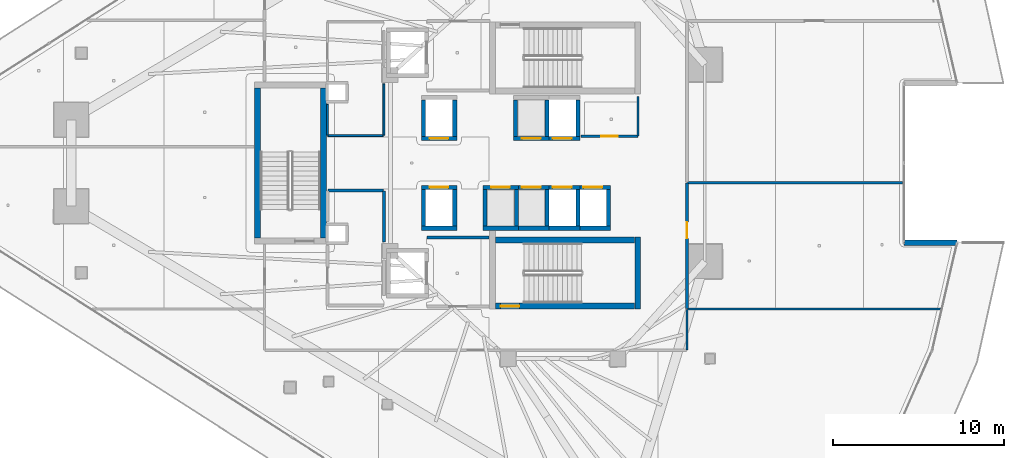
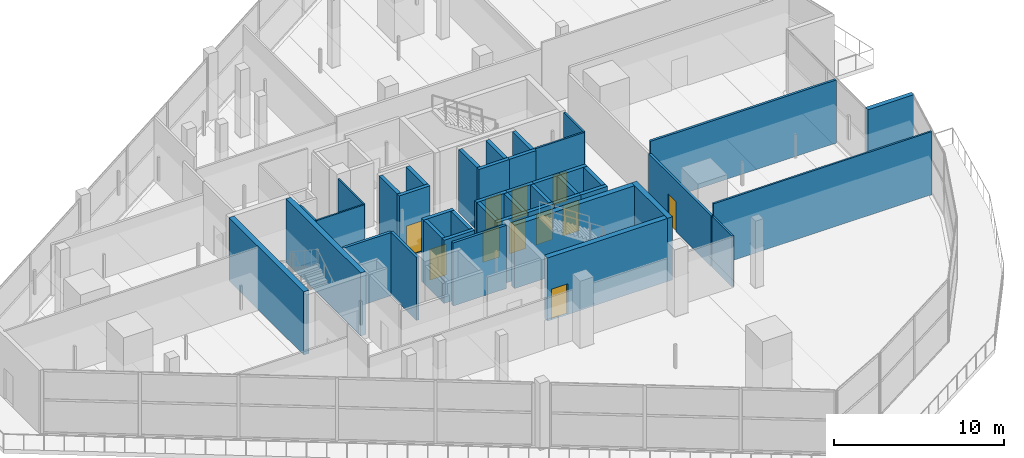
# One storey, part 24 of 36: 43 walls, 11 doors, 11 openings.
"""IFC4 building model written with IfcOpenShell, lengths in metres."""

from ifc_helpers import new_model, si_unit, direction, frame, frame_2d, origin, place, context, subcontext, project, spatial, rectangle, extrude, material, layer, layer_set, type_object, element, fill, save


model = new_model("IFC4")

# Units and contexts
model_context = context("Model", 3, precision=1e-05, world=origin(), true_north=direction((0.0, 1.0)))
body_context = subcontext(model_context, "Body", "Model", "MODEL_VIEW")
ifc_project = project(units=[si_unit("LENGTHUNIT", "METRE"), si_unit("AREAUNIT", "SQUARE_METRE"), si_unit("VOLUMEUNIT", "CUBIC_METRE"), si_unit("PLANEANGLEUNIT", "RADIAN"), si_unit("MASSUNIT", "GRAM", prefix="KILO")], contexts=[model_context])

# Site, building, storey
site_placement = place(None, origin())
site = spatial("IfcSite", under=ifc_project, at=site_placement, CompositionType="ELEMENT")
building_placement = place(site_placement, origin())
building = spatial("IfcBuilding", under=site, at=building_placement, Name="Qorvath Tower", CompositionType="ELEMENT")
storey_placement = place(building_placement, frame((0.0, 0.0, 180.0)))
storey = spatial("IfcBuildingStorey", under=building, at=storey_placement, Name="L41", CompositionType="ELEMENT", Elevation=180.0)

# Walls
ifc_material_1 = material(Name="Gypsum shaftliner on steel studs", Category="steel")
ifc_layer_1 = layer(ifc_material_1, 0.179931640625)
ifc_layer_set_1 = layer_set([ifc_layer_1], Name="FW-LOBBY")
wall_type_1 = type_object("IfcWallType", Name="FW-LOBBY", PredefinedType="PARTITIONING", material=ifc_layer_set_1)
wall_1_placement = place(storey_placement, frame((-24.73291015625, -4.35009765625, 0.0), z_axis=(0.0, 0.0, 1.0), x_axis=(-1.0, 0.0, 0.0)))
element("IfcWall", 1, at=wall_1_placement, inside=storey, type_object=wall_type_1, Name="Interior Partition IW-T1-L41-004", PredefinedType="PARTITIONING", context=body_context, shape_type="SweptSolid", body=[
    extrude(rectangle(XDim=3.6220703125, YDim=0.179931640625, at=frame_2d((1.81103515625, 0.0))), origin(), (0.0, 0.0, 1.0), 4.530029296875),
])
wall_2_placement = place(storey_placement, frame((-30.8798828125, -4.635009765625, 0.0), z_axis=(0.0, 0.0, 1.0), x_axis=(0.0, 1.0, 0.0)))
element("IfcWall", 2, at=wall_2_placement, inside=storey, type_object=wall_type_1, Name="Interior Partition IW-T1-L41-015", PredefinedType="PARTITIONING", context=body_context, shape_type="SweptSolid", body=[
    extrude(rectangle(XDim=3.010009765625, YDim=0.179931640625, at=frame_2d((1.5048828125, 0.0))), origin(), (0.0, 0.0, 1.0), 4.530029296875),
])
wall_3_placement = place(storey_placement, frame((-30.90478515625, -1.60009765625, 0.0), z_axis=(0.0, 0.0, 1.0), x_axis=(-1.0, 0.0, 0.0)))
element("IfcWall", 3, at=wall_3_placement, inside=storey, type_object=wall_type_1, Name="Interior Partition IW-T1-L41-016", PredefinedType="PARTITIONING", context=body_context, shape_type="SweptSolid", body=[
    extrude(rectangle(XDim=3.25, YDim=0.179931640625, at=frame_2d((1.625, 0.0))), origin(), (0.0, 0.0, 1.0), 4.530029296875),
])
ifc_material_2 = material(Name="Double acoustic gypsum board on steel studs", Category="steel")
ifc_layer_2 = layer(ifc_material_2, 0.159912109375)
ifc_layer_set_2 = layer_set([ifc_layer_2], Name="IW-ACOUSTIC-160")
wall_type_2 = type_object("IfcWallType", Name="IW-ACOUSTIC-160", PredefinedType="PARTITIONING", material=ifc_layer_set_2)
wall_4_placement = place(storey_placement, frame((-0.525634765625, -1.1533203125, 0.0), z_axis=(0.0, 0.0, 1.0), x_axis=(-1.0, 0.0, 0.0)))
element("IfcWall", 4, at=wall_4_placement, inside=storey, type_object=wall_type_2, Name="Interior Partition IW-T1-L41-032", PredefinedType="PARTITIONING", context=body_context, shape_type="SweptSolid", body=[
    extrude(rectangle(XDim=12.591552734375, YDim=0.159912109375, at=frame_2d((6.2958984375, 0.0))), origin(), (0.0, 0.0, 1.0), 4.530029296875),
])

# Wall, opening, door
wall_5_placement = place(storey_placement, frame((-13.14208984375, -1.17822265625, 0.0), z_axis=(0.0, 0.0, 1.0), x_axis=(0.0, -1.0, 0.0)))
wall_5 = element("IfcWall", 5, at=wall_5_placement, inside=storey, type_object=wall_type_2, Name="Interior Partition IW-T1-L41-033", PredefinedType="PARTITIONING", context=body_context, shape_type="SweptSolid", body=[
    extrude(rectangle(XDim=7.3388671875, YDim=0.159912109375, at=frame_2d((3.66943359375, 0.0))), origin(), (0.0, 0.0, 1.0), 3.64990234375),
])
opening_1_placement = place(wall_5_placement, frame((2.28173828125, 0.0, 0.0)))
opening_1 = element("IfcOpeningElement", 6, at=opening_1_placement, cuts=wall_5, Name="Opening D-T1-L41-08", PredefinedType="OPENING", context=body_context, shape_type="SweptSolid", body=[
    extrude(rectangle(XDim=0.949951171875, YDim=2.14990234375, at=frame_2d((0.47509765625, 1.074951171875))), frame((0.0, 0.08984375, 0.0), z_axis=(0.0, -1.0, 0.0), x_axis=(1.0, 0.0, 0.0)), (0.0, 0.0, 1.0), 0.179931640625),
])
ifc_material_3 = material(Name="Solid-core American white oak veneer", Category="wood")
door_type_1 = type_object("IfcDoorType", Name="D-01", OperationType="NOTDEFINED", PredefinedType="DOOR", material=ifc_material_3)
door_1_placement = place(opening_1_placement, origin())
door_1 = element("IfcDoor", 7, at=door_1_placement, inside=storey, type_object=door_type_1, Name="L41-06 Sky Breakout Reading Alcove Door D-T1-L41-08", OperationType="SINGLE_SWING_LEFT", OverallHeight=2.14990234375, OverallWidth=0.949951171875, PredefinedType="DOOR", context=body_context, shape_type="SweptSolid", body=[
    extrude(rectangle(XDim=0.949951171875, YDim=2.14990234375, at=frame_2d((0.47509765625, 1.074951171875))), frame((0.0, 0.02490234375, 0.0), z_axis=(0.0, -1.0, 0.0), x_axis=(1.0, 0.0, 0.0)), (0.0, 0.0, 1.0), 0.050048828125),
])
fill(opening_1, door_1)

ifc_material_4 = material(Name="Gypsum board on metal studs with mineral wool", Category="gypsum")
ifc_layer_3 = layer(ifc_material_4, 0.125)
ifc_layer_set_3 = layer_set([ifc_layer_3], Name="IW-PART-125")
wall_type_3 = type_object("IfcWallType", Name="IW-PART-125", PredefinedType="PARTITIONING", material=ifc_layer_set_3)
wall_6_placement = place(storey_placement, frame((-19.333740234375, 1.56005859375, 0.0), z_axis=(0.0, 0.0, 1.0), x_axis=(1.0, 0.0, 0.0)))
wall_6 = element("IfcWall", 8, at=wall_6_placement, inside=storey, type_object=wall_type_3, Name="Interior Partition IW-T1-L41-011", PredefinedType="PARTITIONING", context=body_context, shape_type="SweptSolid", body=[
    extrude(rectangle(XDim=3.308837890625, YDim=0.125, at=frame_2d((1.654296875, 0.0))), origin(), (0.0, 0.0, 1.0), 4.530029296875),
])
opening_2_placement = place(wall_6_placement, frame((1.179443359375, 0.0, 0.0)))
opening_2 = element("IfcOpeningElement", 9, at=opening_2_placement, cuts=wall_6, Name="Opening D-T1-L41-02", PredefinedType="OPENING", context=body_context, shape_type="SweptSolid", body=[
    extrude(rectangle(XDim=0.949951171875, YDim=2.14990234375, at=frame_2d((0.47509765625, 1.074951171875))), frame((0.0, 0.072509765625, 0.0), z_axis=(0.0, -1.0, 0.0), x_axis=(1.0, 0.0, 0.0)), (0.0, 0.0, 1.0), 0.14501953125),
])
door_2_placement = place(opening_2_placement, origin())
door_2 = element("IfcDoor", 10, at=door_2_placement, inside=storey, type_object=door_type_1, Name="L41-RCN North Staff Refreshment Pantry Door D-T1-L41-02", OperationType="SINGLE_SWING_LEFT", OverallHeight=2.14990234375, OverallWidth=0.949951171875, PredefinedType="DOOR", context=body_context, shape_type="SweptSolid", body=[
    extrude(rectangle(XDim=0.949951171875, YDim=2.14990234375, at=frame_2d((0.47509765625, 1.074951171875))), frame((0.0, 0.02490234375, 0.0), z_axis=(0.0, -1.0, 0.0), x_axis=(1.0, 0.0, 0.0)), (0.0, 0.0, 1.0), 0.050048828125),
])
fill(opening_2, door_2)

# Walls
wall_7_placement = place(storey_placement, frame((-16.0, 1.585205078125, 0.0), z_axis=(0.0, 0.0, 1.0), x_axis=(0.0, 1.0, 0.0)))
element("IfcWall", 11, at=wall_7_placement, inside=storey, type_object=wall_type_3, Name="Interior Partition IW-T1-L41-012", PredefinedType="PARTITIONING", context=body_context, shape_type="SweptSolid", body=[
    extrude(rectangle(XDim=2.30224609375, YDim=0.125, at=frame_2d((1.151123046875, 0.0))), origin(), (0.0, 0.0, 1.0), 4.530029296875),
])
wall_8_placement = place(storey_placement, frame((1.683837890625, -8.550048828125, 0.0), z_axis=(0.0, 0.0, 1.0), x_axis=(-1.0, 0.0, 0.0)))
element("IfcWall", 12, at=wall_8_placement, inside=storey, type_object=wall_type_3, Name="Interior Partition IW-T1-L41-027", PredefinedType="PARTITIONING", context=body_context, shape_type="SweptSolid", body=[
    extrude(rectangle(XDim=14.801025390625, YDim=0.125, at=frame_2d((7.400390625, 0.0))), origin(), (0.0, 0.0, 1.0), 4.530029296875),
])
wall_9_placement = place(storey_placement, frame((-13.14208984375, -10.93310546875, 0.0), z_axis=(0.0, 0.0, 1.0), x_axis=(0.0, 1.0, 0.0)))
element("IfcWall", 13, at=wall_9_placement, inside=storey, type_object=wall_type_3, Name="Interior Partition IW-T1-L41-028", PredefinedType="PARTITIONING", context=body_context, shape_type="SweptSolid", body=[
    extrude(rectangle(XDim=2.358154296875, YDim=0.125, at=frame_2d((1.17919921875, 0.0))), origin(), (0.0, 0.0, 1.0), 3.64990234375),
])
ifc_material_5 = material(Name="Moisture-resistant cement board on metal studs", Category="gypsum")
ifc_layer_4 = layer(ifc_material_5, 0.110107421875)
ifc_layer_set_4 = layer_set([ifc_layer_4], Name="IW-WC-110")
wall_type_4 = type_object("IfcWallType", Name="IW-WC-110", PredefinedType="PARTITIONING", material=ifc_layer_set_4)
wall_10_placement = place(storey_placement, frame((-34.15478515625, 1.60009765625, 0.0), z_axis=(0.0, 0.0, 1.0), x_axis=(1.0, 0.0, 0.0)))
element("IfcWall", 14, at=wall_10_placement, inside=storey, type_object=wall_type_4, Name="Interior Partition IW-T1-L41-005", PredefinedType="PARTITIONING", context=body_context, shape_type="SweptSolid", body=[
    extrude(rectangle(XDim=3.25, YDim=0.110107421875, at=frame_2d((1.625, 0.0))), origin(), (0.0, 0.0, 1.0), 4.530029296875),
])
wall_11_placement = place(storey_placement, frame((-30.8798828125, 1.625, 0.0), z_axis=(0.0, 0.0, 1.0), x_axis=(0.0, 1.0, 0.0)))
element("IfcWall", 15, at=wall_11_placement, inside=storey, type_object=wall_type_4, Name="Interior Partition IW-T1-L41-006", PredefinedType="PARTITIONING", context=body_context, shape_type="SweptSolid", body=[
    extrude(rectangle(XDim=3.010009765625, YDim=0.110107421875, at=frame_2d((1.5048828125, 0.0))), origin(), (0.0, 0.0, 1.0), 4.530029296875),
])
wall_12_placement = place(storey_placement, frame((-34.179931640625, 3.429931640625, 0.0), z_axis=(0.0, 0.0, 1.0), x_axis=(0.0, -1.0, 0.0)))
element("IfcWall", 16, at=wall_12_placement, inside=storey, type_object=wall_type_4, Name="Interior Partition IW-T1-L41-010", PredefinedType="PARTITIONING", context=body_context, shape_type="SweptSolid", body=[
    extrude(rectangle(XDim=1.804931640625, YDim=0.110107421875, at=frame_2d((0.90234375, 0.0))), origin(), (0.0, 0.0, 1.0), 4.530029296875),
])

# Wall, opening, door
ifc_material_6 = material(Name="Concrete C60/75", Category="concrete")
ifc_layer_5 = layer(ifc_material_6, 0.260009765625)
ifc_layer_set_5 = layer_set([ifc_layer_5], Name="SW-SHAFT")
wall_type_5 = type_object("IfcWallType", Name="SW-SHAFT", PredefinedType="SHEAR", material=ifc_layer_set_5)
wall_13_placement = place(storey_placement, frame((-26.610107421875, 1.429931640625, 0.0), z_axis=(0.0, 0.0, 1.0), x_axis=(-1.0, 0.0, 0.0)))
wall_13 = element("IfcWall", 17, at=wall_13_placement, inside=storey, type_object=wall_type_5, Name="Hoistway Wall PS-1 L41 S", PredefinedType="SHEAR", context=body_context, shape_type="SweptSolid", body=[
    extrude(rectangle(XDim=2.079833984375, YDim=0.239990234375, at=frame_2d((1.0400390625, 0.0))), origin(), (0.0, 0.0, 1.0), 4.530029296875),
])
opening_3_placement = place(wall_13_placement, frame((0.48974609375, 0.0, 0.0)))
opening_3 = element("IfcOpeningElement", 18, at=opening_3_placement, cuts=wall_13, Name="Opening LD-PS-1-L41", PredefinedType="OPENING", context=body_context, shape_type="SweptSolid", body=[
    extrude(rectangle(XDim=1.10009765625, YDim=2.199951171875, at=frame_2d((0.550048828125, 1.10009765625))), frame((0.0, 0.1298828125, 0.0), z_axis=(0.0, -1.0, 0.0), x_axis=(1.0, 0.0, 0.0)), (0.0, 0.0, 1.0), 0.260009765625),
])
ifc_material_7 = material(Name="Brushed stainless steel AISI 316", Category="steel")
door_type_2 = type_object("IfcDoorType", Name="LD-01", OperationType="NOTDEFINED", PredefinedType="DOOR", material=ifc_material_7)
door_3_placement = place(opening_3_placement, origin())
door_3 = element("IfcDoor", 19, at=door_3_placement, inside=storey, type_object=door_type_2, Name="Elevator Landing Sliding Door LD-PS-1-L41", OperationType="DOUBLE_DOOR_SLIDING", OverallHeight=2.199951171875, OverallWidth=1.10009765625, PredefinedType="DOOR", context=body_context, shape_type="SweptSolid", body=[
    extrude(rectangle(XDim=1.10009765625, YDim=2.199951171875, at=frame_2d((0.550048828125, 1.10009765625))), frame((0.0, 0.02490234375, 0.0), z_axis=(0.0, -1.0, 0.0), x_axis=(1.0, 0.0, 0.0)), (0.0, 0.0, 1.0), 0.050048828125),
])
fill(opening_3, door_3)

# Walls
for number, where, z_axis, x_axis, name in (
    (20, (-28.570068359375, 1.56201171875, 0.0), (0.0, 0.0, 1.0), (0.0, 1.0, 0.0), "Hoistway Wall PS-1 L41 W"),
    (21, (-26.72998046875, 3.68798828125, 0.0), (0.0, 0.0, 1.0), (0.0, -1.0, 0.0), "Hoistway Wall PS-1 L41 E"),
):
    element("IfcWall", number, at=place(storey_placement, frame(where, z_axis=z_axis, x_axis=x_axis)), inside=storey, type_object=wall_type_5, Name=name, PredefinedType="SHEAR", context=body_context, shape_type="SweptSolid", body=[
        extrude(rectangle(XDim=2.1259765625, YDim=0.239990234375, at=frame_2d((1.06298828125, 0.0))), origin(), (0.0, 0.0, 1.0), 4.530029296875),
    ])

# Wall, opening, door
wall_14_placement = place(storey_placement, frame((-21.2099609375, 1.429931640625, 0.0), z_axis=(0.0, 0.0, 1.0), x_axis=(-1.0, 0.0, 0.0)))
wall_14 = element("IfcWall", 22, at=wall_14_placement, inside=storey, type_object=wall_type_5, Name="Hoistway Wall PU-1 L41 S", PredefinedType="SHEAR", context=body_context, shape_type="SweptSolid", body=[
    extrude(rectangle(XDim=2.080078125, YDim=0.239990234375, at=frame_2d((1.0400390625, 0.0))), origin(), (0.0, 0.0, 1.0), 4.530029296875),
])
opening_4_placement = place(wall_14_placement, frame((0.489990234375, 0.0, 0.0)))
opening_4 = element("IfcOpeningElement", 23, at=opening_4_placement, cuts=wall_14, Name="Opening LD-PU-1-L41", PredefinedType="OPENING", context=body_context, shape_type="SweptSolid", body=[
    extrude(rectangle(XDim=1.10009765625, YDim=2.199951171875, at=frame_2d((0.550048828125, 1.10009765625))), frame((0.0, 0.1298828125, 0.0), z_axis=(0.0, -1.0, 0.0), x_axis=(1.0, 0.0, 0.0)), (0.0, 0.0, 1.0), 0.260009765625),
])
door_4_placement = place(opening_4_placement, origin())
door_4 = element("IfcDoor", 24, at=door_4_placement, inside=storey, type_object=door_type_2, Name="Elevator Landing Sliding Door LD-PU-1-L41", OperationType="DOUBLE_DOOR_SLIDING", OverallHeight=2.199951171875, OverallWidth=1.10009765625, PredefinedType="DOOR", context=body_context, shape_type="SweptSolid", body=[
    extrude(rectangle(XDim=1.10009765625, YDim=2.199951171875, at=frame_2d((0.550048828125, 1.10009765625))), frame((0.0, 0.02490234375, 0.0), z_axis=(0.0, -1.0, 0.0), x_axis=(1.0, 0.0, 0.0)), (0.0, 0.0, 1.0), 0.050048828125),
])
fill(opening_4, door_4)

# Walls
for number, where, z_axis, x_axis, name in (
    (25, (-23.169921875, 1.56201171875, 0.0), (0.0, 0.0, 1.0), (0.0, 1.0, 0.0), "Hoistway Wall PU-1 L41 W"),
    (26, (-21.330078125, 3.68798828125, 0.0), (0.0, 0.0, 1.0), (0.0, -1.0, 0.0), "Hoistway Wall PU-1 L41 E"),
):
    element("IfcWall", number, at=place(storey_placement, frame(where, z_axis=z_axis, x_axis=x_axis)), inside=storey, type_object=wall_type_5, Name=name, PredefinedType="SHEAR", context=body_context, shape_type="SweptSolid", body=[
        extrude(rectangle(XDim=2.1259765625, YDim=0.239990234375, at=frame_2d((1.06298828125, 0.0))), origin(), (0.0, 0.0, 1.0), 4.530029296875),
    ])

# Wall, opening, door
wall_15_placement = place(storey_placement, frame((-19.409912109375, 1.429931640625, 0.0), z_axis=(0.0, 0.0, 1.0), x_axis=(-1.0, 0.0, 0.0)))
wall_15 = element("IfcWall", 27, at=wall_15_placement, inside=storey, type_object=wall_type_5, Name="Hoistway Wall PM-1 L41 S", PredefinedType="SHEAR", context=body_context, shape_type="SweptSolid", body=[
    extrude(rectangle(XDim=1.800048828125, YDim=0.239990234375, at=frame_2d((0.89990234375, 0.0))), origin(), (0.0, 0.0, 1.0), 4.530029296875),
])
opening_5_placement = place(wall_15_placement, frame((0.489990234375, 0.0, 0.0)))
opening_5 = element("IfcOpeningElement", 28, at=opening_5_placement, cuts=wall_15, Name="Opening LD-PM-1-L41", PredefinedType="OPENING", context=body_context, shape_type="SweptSolid", body=[
    extrude(rectangle(XDim=1.10009765625, YDim=2.199951171875, at=frame_2d((0.550048828125, 1.10009765625))), frame((0.0, 0.1298828125, 0.0), z_axis=(0.0, -1.0, 0.0), x_axis=(1.0, 0.0, 0.0)), (0.0, 0.0, 1.0), 0.260009765625),
])
door_5_placement = place(opening_5_placement, origin())
door_5 = element("IfcDoor", 29, at=door_5_placement, inside=storey, type_object=door_type_2, Name="Elevator Landing Sliding Door LD-PM-1-L41", OperationType="DOUBLE_DOOR_SLIDING", OverallHeight=2.199951171875, OverallWidth=1.10009765625, PredefinedType="DOOR", context=body_context, shape_type="SweptSolid", body=[
    extrude(rectangle(XDim=1.10009765625, YDim=2.199951171875, at=frame_2d((0.550048828125, 1.10009765625))), frame((0.0, 0.02490234375, 0.0), z_axis=(0.0, -1.0, 0.0), x_axis=(1.0, 0.0, 0.0)), (0.0, 0.0, 1.0), 0.050048828125),
])
fill(opening_5, door_5)

# Walls
wall_16_placement = place(storey_placement, frame((-19.530029296875, 3.68798828125, 0.0), z_axis=(0.0, 0.0, 1.0), x_axis=(0.0, -1.0, 0.0)))
element("IfcWall", 30, at=wall_16_placement, inside=storey, type_object=wall_type_5, Name="Hoistway Wall PM-1 L41 E", PredefinedType="SHEAR", context=body_context, shape_type="SweptSolid", body=[
    extrude(rectangle(XDim=2.1259765625, YDim=0.239990234375, at=frame_2d((1.06298828125, 0.0))), origin(), (0.0, 0.0, 1.0), 4.530029296875),
])
wall_17_placement = place(storey_placement, frame((-26.610107421875, -3.820068359375, 0.0), z_axis=(0.0, 0.0, 1.0), x_axis=(-1.0, 0.0, 0.0)))
element("IfcWall", 31, at=wall_17_placement, inside=storey, type_object=wall_type_5, Name="Hoistway Wall PS-2 L41 S", PredefinedType="SHEAR", context=body_context, shape_type="SweptSolid", body=[
    extrude(rectangle(XDim=2.079833984375, YDim=0.239990234375, at=frame_2d((1.0400390625, 0.0))), origin(), (0.0, 0.0, 1.0), 4.530029296875),
])

# Wall, opening, door
wall_18_placement = place(storey_placement, frame((-28.68994140625, -1.429931640625, 0.0), z_axis=(0.0, 0.0, 1.0), x_axis=(1.0, 0.0, 0.0)))
wall_18 = element("IfcWall", 32, at=wall_18_placement, inside=storey, type_object=wall_type_5, Name="Hoistway Wall PS-2 L41 N", PredefinedType="SHEAR", context=body_context, shape_type="SweptSolid", body=[
    extrude(rectangle(XDim=2.079833984375, YDim=0.239990234375, at=frame_2d((1.0400390625, 0.0))), origin(), (0.0, 0.0, 1.0), 4.530029296875),
])
opening_6_placement = place(wall_18_placement, frame((0.489990234375, 0.0, 0.0)))
opening_6 = element("IfcOpeningElement", 33, at=opening_6_placement, cuts=wall_18, Name="Opening LD-PS-2-L41", PredefinedType="OPENING", context=body_context, shape_type="SweptSolid", body=[
    extrude(rectangle(XDim=1.10009765625, YDim=2.199951171875, at=frame_2d((0.550048828125, 1.10009765625))), frame((0.0, 0.1298828125, 0.0), z_axis=(0.0, -1.0, 0.0), x_axis=(1.0, 0.0, 0.0)), (0.0, 0.0, 1.0), 0.260009765625),
])
door_6_placement = place(opening_6_placement, origin())
door_6 = element("IfcDoor", 34, at=door_6_placement, inside=storey, type_object=door_type_2, Name="Elevator Landing Sliding Door LD-PS-2-L41", OperationType="DOUBLE_DOOR_SLIDING", OverallHeight=2.199951171875, OverallWidth=1.10009765625, PredefinedType="DOOR", context=body_context, shape_type="SweptSolid", body=[
    extrude(rectangle(XDim=1.10009765625, YDim=2.199951171875, at=frame_2d((0.550048828125, 1.10009765625))), frame((0.0, 0.02490234375, 0.0), z_axis=(0.0, -1.0, 0.0), x_axis=(1.0, 0.0, 0.0)), (0.0, 0.0, 1.0), 0.050048828125),
])
fill(opening_6, door_6)

# Walls
for number, where, z_axis, x_axis, name in (
    (35, (-28.570068359375, -3.68798828125, 0.0), (0.0, 0.0, 1.0), (0.0, 1.0, 0.0), "Hoistway Wall PS-2 L41 W"),
    (36, (-26.72998046875, -1.56201171875, 0.0), (0.0, 0.0, 1.0), (0.0, -1.0, 0.0), "Hoistway Wall PS-2 L41 E"),
):
    element("IfcWall", number, at=place(storey_placement, frame(where, z_axis=z_axis, x_axis=x_axis)), inside=storey, type_object=wall_type_5, Name=name, PredefinedType="SHEAR", context=body_context, shape_type="SweptSolid", body=[
        extrude(rectangle(XDim=2.1259765625, YDim=0.239990234375, at=frame_2d((1.06298828125, 0.0))), origin(), (0.0, 0.0, 1.0), 4.530029296875),
    ])
wall_19_placement = place(storey_placement, frame((-23.010009765625, -3.820068359375, 0.0), z_axis=(0.0, 0.0, 1.0), x_axis=(-1.0, 0.0, 0.0)))
element("IfcWall", 37, at=wall_19_placement, inside=storey, type_object=wall_type_5, Name="Hoistway Wall PU-2 L41 S", PredefinedType="SHEAR", context=body_context, shape_type="SweptSolid", body=[
    extrude(rectangle(XDim=2.080078125, YDim=0.239990234375, at=frame_2d((1.0400390625, 0.0))), origin(), (0.0, 0.0, 1.0), 4.530029296875),
])

# Wall, opening, door
wall_20_placement = place(storey_placement, frame((-25.090087890625, -1.429931640625, 0.0), z_axis=(0.0, 0.0, 1.0), x_axis=(1.0, 0.0, 0.0)))
wall_20 = element("IfcWall", 38, at=wall_20_placement, inside=storey, type_object=wall_type_5, Name="Hoistway Wall PU-2 L41 N", PredefinedType="SHEAR", context=body_context, shape_type="SweptSolid", body=[
    extrude(rectangle(XDim=2.080078125, YDim=0.239990234375, at=frame_2d((1.0400390625, 0.0))), origin(), (0.0, 0.0, 1.0), 4.530029296875),
])
opening_7_placement = place(wall_20_placement, frame((0.489990234375, 0.0, 0.0)))
opening_7 = element("IfcOpeningElement", 39, at=opening_7_placement, cuts=wall_20, Name="Opening LD-PU-2-L41", PredefinedType="OPENING", context=body_context, shape_type="SweptSolid", body=[
    extrude(rectangle(XDim=1.10009765625, YDim=2.199951171875, at=frame_2d((0.550048828125, 1.10009765625))), frame((0.0, 0.1298828125, 0.0), z_axis=(0.0, -1.0, 0.0), x_axis=(1.0, 0.0, 0.0)), (0.0, 0.0, 1.0), 0.260009765625),
])
door_7_placement = place(opening_7_placement, origin())
door_7 = element("IfcDoor", 40, at=door_7_placement, inside=storey, type_object=door_type_2, Name="Elevator Landing Sliding Door LD-PU-2-L41", OperationType="DOUBLE_DOOR_SLIDING", OverallHeight=2.199951171875, OverallWidth=1.10009765625, PredefinedType="DOOR", context=body_context, shape_type="SweptSolid", body=[
    extrude(rectangle(XDim=1.10009765625, YDim=2.199951171875, at=frame_2d((0.550048828125, 1.10009765625))), frame((0.0, 0.02490234375, 0.0), z_axis=(0.0, -1.0, 0.0), x_axis=(1.0, 0.0, 0.0)), (0.0, 0.0, 1.0), 0.050048828125),
])
fill(opening_7, door_7)

# Walls
for number, where, z_axis, x_axis, name in (
    (41, (-24.969970703125, -3.68798828125, 0.0), (0.0, 0.0, 1.0), (0.0, 1.0, 0.0), "Hoistway Wall PU-2 L41 W"),
    (42, (-23.1298828125, -1.56201171875, 0.0), (0.0, 0.0, 1.0), (0.0, -1.0, 0.0), "Hoistway Wall PU-2 L41 E"),
):
    element("IfcWall", number, at=place(storey_placement, frame(where, z_axis=z_axis, x_axis=x_axis)), inside=storey, type_object=wall_type_5, Name=name, PredefinedType="SHEAR", context=body_context, shape_type="SweptSolid", body=[
        extrude(rectangle(XDim=2.1259765625, YDim=0.239990234375, at=frame_2d((1.06298828125, 0.0))), origin(), (0.0, 0.0, 1.0), 4.530029296875),
    ])
wall_21_placement = place(storey_placement, frame((-21.2099609375, -3.820068359375, 0.0), z_axis=(0.0, 0.0, 1.0), x_axis=(-1.0, 0.0, 0.0)))
element("IfcWall", 43, at=wall_21_placement, inside=storey, type_object=wall_type_5, Name="Hoistway Wall PU-3 L41 S", PredefinedType="SHEAR", context=body_context, shape_type="SweptSolid", body=[
    extrude(rectangle(XDim=1.800048828125, YDim=0.239990234375, at=frame_2d((0.89990234375, 0.0))), origin(), (0.0, 0.0, 1.0), 4.530029296875),
])

# Wall, opening, door
wall_22_placement = place(storey_placement, frame((-23.010009765625, -1.429931640625, 0.0), z_axis=(0.0, 0.0, 1.0), x_axis=(1.0, 0.0, 0.0)))
wall_22 = element("IfcWall", 44, at=wall_22_placement, inside=storey, type_object=wall_type_5, Name="Hoistway Wall PU-3 L41 N", PredefinedType="SHEAR", context=body_context, shape_type="SweptSolid", body=[
    extrude(rectangle(XDim=1.800048828125, YDim=0.239990234375, at=frame_2d((0.89990234375, 0.0))), origin(), (0.0, 0.0, 1.0), 4.530029296875),
])
opening_8_placement = place(wall_22_placement, frame((0.2099609375, 0.0, 0.0)))
opening_8 = element("IfcOpeningElement", 45, at=opening_8_placement, cuts=wall_22, Name="Opening LD-PU-3-L41", PredefinedType="OPENING", context=body_context, shape_type="SweptSolid", body=[
    extrude(rectangle(XDim=1.10009765625, YDim=2.199951171875, at=frame_2d((0.550048828125, 1.10009765625))), frame((0.0, 0.1298828125, 0.0), z_axis=(0.0, -1.0, 0.0), x_axis=(1.0, 0.0, 0.0)), (0.0, 0.0, 1.0), 0.260009765625),
])
door_8_placement = place(opening_8_placement, origin())
door_8 = element("IfcDoor", 46, at=door_8_placement, inside=storey, type_object=door_type_2, Name="Elevator Landing Sliding Door LD-PU-3-L41", OperationType="DOUBLE_DOOR_SLIDING", OverallHeight=2.199951171875, OverallWidth=1.10009765625, PredefinedType="DOOR", context=body_context, shape_type="SweptSolid", body=[
    extrude(rectangle(XDim=1.10009765625, YDim=2.199951171875, at=frame_2d((0.550048828125, 1.10009765625))), frame((0.0, 0.02490234375, 0.0), z_axis=(0.0, -1.0, 0.0), x_axis=(1.0, 0.0, 0.0)), (0.0, 0.0, 1.0), 0.050048828125),
])
fill(opening_8, door_8)

# Walls
wall_23_placement = place(storey_placement, frame((-21.330078125, -1.56201171875, 0.0), z_axis=(0.0, 0.0, 1.0), x_axis=(0.0, -1.0, 0.0)))
element("IfcWall", 47, at=wall_23_placement, inside=storey, type_object=wall_type_5, Name="Hoistway Wall PU-3 L41 E", PredefinedType="SHEAR", context=body_context, shape_type="SweptSolid", body=[
    extrude(rectangle(XDim=2.1259765625, YDim=0.239990234375, at=frame_2d((1.06298828125, 0.0))), origin(), (0.0, 0.0, 1.0), 4.530029296875),
])
wall_24_placement = place(storey_placement, frame((-19.409912109375, -3.820068359375, 0.0), z_axis=(0.0, 0.0, 1.0), x_axis=(-1.0, 0.0, 0.0)))
element("IfcWall", 48, at=wall_24_placement, inside=storey, type_object=wall_type_5, Name="Hoistway Wall PM-2 L41 S", PredefinedType="SHEAR", context=body_context, shape_type="SweptSolid", body=[
    extrude(rectangle(XDim=1.800048828125, YDim=0.239990234375, at=frame_2d((0.89990234375, 0.0))), origin(), (0.0, 0.0, 1.0), 4.530029296875),
])

# Wall, opening, door
wall_25_placement = place(storey_placement, frame((-21.2099609375, -1.429931640625, 0.0), z_axis=(0.0, 0.0, 1.0), x_axis=(1.0, 0.0, 0.0)))
wall_25 = element("IfcWall", 49, at=wall_25_placement, inside=storey, type_object=wall_type_5, Name="Hoistway Wall PM-2 L41 N", PredefinedType="SHEAR", context=body_context, shape_type="SweptSolid", body=[
    extrude(rectangle(XDim=1.800048828125, YDim=0.239990234375, at=frame_2d((0.89990234375, 0.0))), origin(), (0.0, 0.0, 1.0), 4.530029296875),
])
opening_9_placement = place(wall_25_placement, frame((0.2099609375, 0.0, 0.0)))
opening_9 = element("IfcOpeningElement", 50, at=opening_9_placement, cuts=wall_25, Name="Opening LD-PM-2-L41", PredefinedType="OPENING", context=body_context, shape_type="SweptSolid", body=[
    extrude(rectangle(XDim=1.10009765625, YDim=2.199951171875, at=frame_2d((0.550048828125, 1.10009765625))), frame((0.0, 0.1298828125, 0.0), z_axis=(0.0, -1.0, 0.0), x_axis=(1.0, 0.0, 0.0)), (0.0, 0.0, 1.0), 0.260009765625),
])
door_9_placement = place(opening_9_placement, origin())
door_9 = element("IfcDoor", 51, at=door_9_placement, inside=storey, type_object=door_type_2, Name="Elevator Landing Sliding Door LD-PM-2-L41", OperationType="DOUBLE_DOOR_SLIDING", OverallHeight=2.199951171875, OverallWidth=1.10009765625, PredefinedType="DOOR", context=body_context, shape_type="SweptSolid", body=[
    extrude(rectangle(XDim=1.10009765625, YDim=2.199951171875, at=frame_2d((0.550048828125, 1.10009765625))), frame((0.0, 0.02490234375, 0.0), z_axis=(0.0, -1.0, 0.0), x_axis=(1.0, 0.0, 0.0)), (0.0, 0.0, 1.0), 0.050048828125),
])
fill(opening_9, door_9)

# Walls
wall_26_placement = place(storey_placement, frame((-19.530029296875, -1.56201171875, 0.0), z_axis=(0.0, 0.0, 1.0), x_axis=(0.0, -1.0, 0.0)))
element("IfcWall", 52, at=wall_26_placement, inside=storey, type_object=wall_type_5, Name="Hoistway Wall PM-2 L41 E", PredefinedType="SHEAR", context=body_context, shape_type="SweptSolid", body=[
    extrude(rectangle(XDim=2.1259765625, YDim=0.239990234375, at=frame_2d((1.06298828125, 0.0))), origin(), (0.0, 0.0, 1.0), 4.530029296875),
])
wall_27_placement = place(storey_placement, frame((-17.610107421875, -3.820068359375, 0.0), z_axis=(0.0, 0.0, 1.0), x_axis=(-1.0, 0.0, 0.0)))
element("IfcWall", 53, at=wall_27_placement, inside=storey, type_object=wall_type_5, Name="Hoistway Wall PM-3 L41 S", PredefinedType="SHEAR", context=body_context, shape_type="SweptSolid", body=[
    extrude(rectangle(XDim=1.7998046875, YDim=0.239990234375, at=frame_2d((0.89990234375, 0.0))), origin(), (0.0, 0.0, 1.0), 4.530029296875),
])

# Wall, opening, door
wall_28_placement = place(storey_placement, frame((-19.409912109375, -1.429931640625, 0.0), z_axis=(0.0, 0.0, 1.0), x_axis=(1.0, 0.0, 0.0)))
wall_28 = element("IfcWall", 54, at=wall_28_placement, inside=storey, type_object=wall_type_5, Name="Hoistway Wall PM-3 L41 N", PredefinedType="SHEAR", context=body_context, shape_type="SweptSolid", body=[
    extrude(rectangle(XDim=1.7998046875, YDim=0.239990234375, at=frame_2d((0.89990234375, 0.0))), origin(), (0.0, 0.0, 1.0), 4.530029296875),
])
opening_10_placement = place(wall_28_placement, frame((0.2099609375, 0.0, 0.0)))
opening_10 = element("IfcOpeningElement", 55, at=opening_10_placement, cuts=wall_28, Name="Opening LD-PM-3-L41", PredefinedType="OPENING", context=body_context, shape_type="SweptSolid", body=[
    extrude(rectangle(XDim=1.10009765625, YDim=2.199951171875, at=frame_2d((0.550048828125, 1.10009765625))), frame((0.0, 0.1298828125, 0.0), z_axis=(0.0, -1.0, 0.0), x_axis=(1.0, 0.0, 0.0)), (0.0, 0.0, 1.0), 0.260009765625),
])
door_10_placement = place(opening_10_placement, origin())
door_10 = element("IfcDoor", 56, at=door_10_placement, inside=storey, type_object=door_type_2, Name="Elevator Landing Sliding Door LD-PM-3-L41", OperationType="DOUBLE_DOOR_SLIDING", OverallHeight=2.199951171875, OverallWidth=1.10009765625, PredefinedType="DOOR", context=body_context, shape_type="SweptSolid", body=[
    extrude(rectangle(XDim=1.10009765625, YDim=2.199951171875, at=frame_2d((0.550048828125, 1.10009765625))), frame((0.0, 0.02490234375, 0.0), z_axis=(0.0, -1.0, 0.0), x_axis=(1.0, 0.0, 0.0)), (0.0, 0.0, 1.0), 0.050048828125),
])
fill(opening_10, door_10)

# Walls
wall_29_placement = place(storey_placement, frame((-17.72998046875, -1.56201171875, 0.0), z_axis=(0.0, 0.0, 1.0), x_axis=(0.0, -1.0, 0.0)))
element("IfcWall", 57, at=wall_29_placement, inside=storey, type_object=wall_type_5, Name="Hoistway Wall PM-3 L41 E", PredefinedType="SHEAR", context=body_context, shape_type="SweptSolid", body=[
    extrude(rectangle(XDim=2.1259765625, YDim=0.239990234375, at=frame_2d((1.06298828125, 0.0))), origin(), (0.0, 0.0, 1.0), 4.530029296875),
])
ifc_material_8 = material(Name="Concrete C60/75", Category="concrete")
ifc_layer_6 = layer(ifc_material_8, 0.35009765625)
ifc_layer_set_6 = layer_set([ifc_layer_6], Name="SW-STAIR")
wall_type_6 = type_object("IfcWallType", Name="SW-STAIR", PredefinedType="SHEAR", material=ifc_layer_set_6)
wall_30_placement = place(storey_placement, frame((-16.02490234375, -8.550048828125, 0.0), z_axis=(0.0, 0.0, 1.0), x_axis=(0.0, 1.0, 0.0)))
element("IfcWall", 58, at=wall_30_placement, inside=storey, type_object=wall_type_6, Name="Stair TS2 Shear Wall L41 FAR", PredefinedType="SHEAR", context=body_context, shape_type="SweptSolid", body=[
    extrude(rectangle(XDim=4.2099609375, YDim=0.35009765625, at=frame_2d((2.10498046875, 0.0))), origin(), (0.0, 0.0, 1.0), 4.530029296875),
])

# Wall, opening, door
wall_31_placement = place(storey_placement, frame((-24.3349609375, -8.375, 0.0), z_axis=(0.0, 0.0, 1.0), x_axis=(1.0, 0.0, 0.0)))
wall_31 = element("IfcWall", 59, at=wall_31_placement, inside=storey, type_object=wall_type_6, Name="Stair TS2 Shear Wall L41 LEFT", PredefinedType="SHEAR", context=body_context, shape_type="SweptSolid", body=[
    extrude(rectangle(XDim=8.119873046875, YDim=0.35009765625, at=frame_2d((4.06005859375, 0.0))), origin(), (0.0, 0.0, 1.0), 4.530029296875),
])
opening_11_placement = place(wall_31_placement, frame((0.280029296875, 0.0, 0.0)))
opening_11 = element("IfcOpeningElement", 60, at=opening_11_placement, cuts=wall_31, Name="Opening D-TS2-L41", PredefinedType="OPENING", context=body_context, shape_type="SweptSolid", body=[
    extrude(rectangle(XDim=1.10009765625, YDim=2.199951171875, at=frame_2d((0.550048828125, 1.10009765625))), frame((0.0, 0.18505859375, 0.0), z_axis=(0.0, -1.0, 0.0), x_axis=(1.0, 0.0, 0.0)), (0.0, 0.0, 1.0), 0.3701171875),
])
ifc_material_9 = material(Name="Painted galvanised hollow metal", Category="steel")
door_type_3 = type_object("IfcDoorType", Name="FD-90", OperationType="NOTDEFINED", PredefinedType="DOOR", material=ifc_material_9)
door_11_placement = place(opening_11_placement, origin())
door_11 = element("IfcDoor", 61, at=door_11_placement, inside=storey, type_object=door_type_3, Name="Stair TS2 Fire Door L41", OperationType="SINGLE_SWING_RIGHT", OverallHeight=2.199951171875, OverallWidth=1.10009765625, PredefinedType="DOOR", context=body_context, shape_type="SweptSolid", body=[
    extrude(rectangle(XDim=1.10009765625, YDim=2.199951171875, at=frame_2d((0.550048828125, 1.10009765625))), frame((0.0, 0.02490234375, 0.0), z_axis=(0.0, -1.0, 0.0), x_axis=(1.0, 0.0, 0.0)), (0.0, 0.0, 1.0), 0.050048828125),
])
fill(opening_11, door_11)

# Walls
wall_32_placement = place(storey_placement, frame((-16.215087890625, -4.514892578125, 0.0), z_axis=(0.0, 0.0, 1.0), x_axis=(-1.0, 0.0, 0.0)))
element("IfcWall", 62, at=wall_32_placement, inside=storey, type_object=wall_type_6, Name="Stair TS2 Shear Wall L41 RIGHT", PredefinedType="SHEAR", context=body_context, shape_type="SweptSolid", body=[
    extrude(rectangle(XDim=8.119873046875, YDim=0.35009765625, at=frame_2d((4.06005859375, 0.0))), origin(), (0.0, 0.0, 1.0), 4.530029296875),
])
for number, where, z_axis, x_axis, name in (
    (63, (-34.425048828125, -4.385009765625, 0.0), (0.0, 0.0, 1.0), (0.0, 1.0, 0.0), "Stair TS3 Shear Wall L41 LEFT"),
    (64, (-38.284912109375, 4.385009765625, 0.0), (0.0, 0.0, 1.0), (0.0, -1.0, 0.0), "Stair TS3 Shear Wall L41 RIGHT"),
):
    element("IfcWall", number, at=place(storey_placement, frame(where, z_axis=z_axis, x_axis=x_axis)), inside=storey, type_object=wall_type_6, Name=name, PredefinedType="SHEAR", context=body_context, shape_type="SweptSolid", body=[
        extrude(rectangle(XDim=8.77001953125, YDim=0.35009765625, at=frame_2d((4.385009765625, 0.0))), origin(), (0.0, 0.0, 1.0), 4.530029296875),
    ])
ifc_material_10 = material(Name="Precast concrete C45/55", Category="concrete")
ifc_layer_7 = layer(ifc_material_10, 0.300048828125)
ifc_layer_set_7 = layer_set([ifc_layer_7], Name="WL-EW-LOG-300")
wall_type_7 = type_object("IfcWallType", Name="WL-EW-LOG-300", PredefinedType="SOLIDWALL", material=ifc_layer_set_7)
wall_33_placement = place(storey_placement, frame((2.664794921875, -4.66552734375, 0.0), z_axis=(0.0, 0.0, 1.0), x_axis=(-1.0, 0.0, 0.0)))
element("IfcWall", 65, at=wall_33_placement, inside=storey, type_object=wall_type_7, Name="Tower Precast Loggia Wall L41-8.1", PredefinedType="SOLIDWALL", context=body_context, shape_type="SweptSolid", body=[
    extrude(rectangle(XDim=3.1103515625, YDim=0.300048828125, at=frame_2d((1.55517578125, 0.0))), origin(), (0.0, 0.0, 1.0), 4.530029296875),
])

save(model, "model.ifc")
